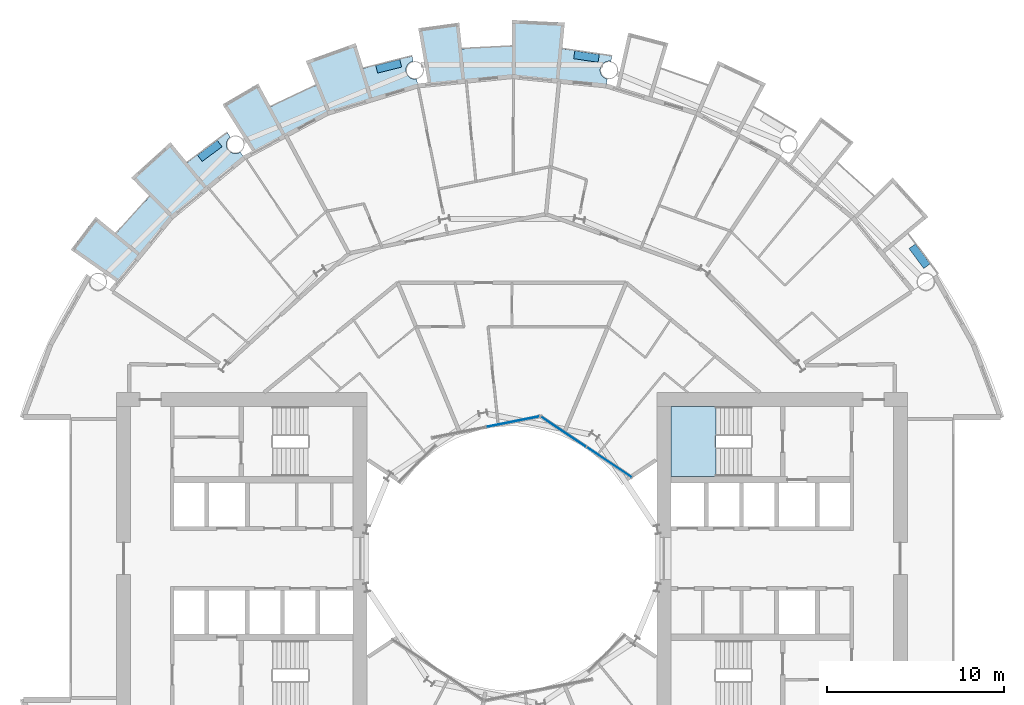
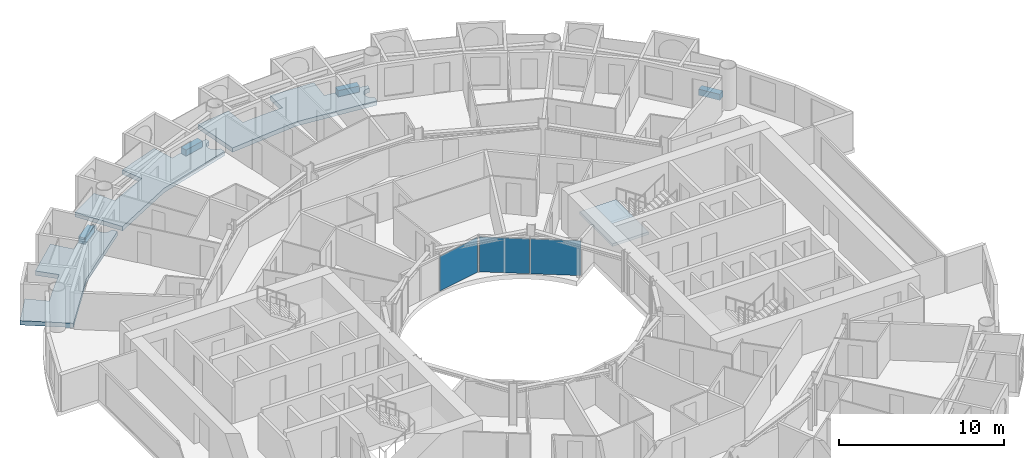
# One storey, part 11 of 26: 8 slabs, 3 plates, 3 elements without a shape of their own.
"""IFC4 building model written with IfcOpenShell, lengths in metres."""

from ifc_helpers import new_model, si_unit, direction, frame, origin, origin_2d, place, context, subcontext, project, spatial, polyline, rectangle, outline, extrude, material, layer, layer_set, type_object, element, aggregate, save


model = new_model("IFC4")

# Units and contexts
model_context = context("Model", 3, precision=1e-05, world=origin(), true_north=direction((0.0, 1.0)))
body_context = subcontext(model_context, "Body", "Model", "MODEL_VIEW")
ifc_project = project(units=[si_unit("LENGTHUNIT", "METRE"), si_unit("AREAUNIT", "SQUARE_METRE"), si_unit("VOLUMEUNIT", "CUBIC_METRE"), si_unit("PLANEANGLEUNIT", "RADIAN"), si_unit("MASSUNIT", "GRAM", prefix="KILO")], contexts=[model_context])

# Site, building, storey
site_placement = place(None, origin())
site = spatial("IfcSite", under=ifc_project, at=site_placement, CompositionType="ELEMENT")
building_placement = place(site_placement, origin())
building = spatial("IfcBuilding", under=site, at=building_placement, Name="Maasbend Ring Residences", CompositionType="ELEMENT")
storey_placement = place(building_placement, frame((0.0, 0.0, 38.050048828125)))
storey = spatial("IfcBuildingStorey", under=building, at=storey_placement, Name="L10", CompositionType="ELEMENT", Elevation=38.050048828125)

# Stair, slab
ifc_material_1 = material(Name="Concrete C40/50", Category="concrete")
stair_type = type_object("IfcStairType", Name="CORE STAIR 18 RISERS", PredefinedType="HALF_TURN_STAIR", material=ifc_material_1)
stair_placement = place(storey_placement, origin())
stair = element("IfcStair", 1, at=stair_placement, inside=storey, type_object=stair_type, Name="L10 Exit stair ST-E1", PredefinedType="HALF_TURN_STAIR")
ifc_material_2 = material(Name="Concrete C40/50", Category="concrete")
ifc_layer_1 = layer(ifc_material_2, 0.199951171875)
ifc_layer_set_1 = layer_set([ifc_layer_1], Name="Concrete C40/50")
slab_type_1 = type_object("IfcSlabType", Name="CORE STAIR LANDING 200", PredefinedType="LANDING", material=ifc_layer_set_1)
slab_1_placement = place(storey_placement, frame((0.0, 0.0, 1.324951171875)))
slab_1 = element("IfcSlab", 2, at=slab_1_placement, type_object=slab_type_1, Name="ST-E1 landing 1", PredefinedType="LANDING", context=body_context, shape_type="SweptSolid", body=[
    extrude(outline(polyline([(11.550048828125, 8.60009765625), (9.0, 8.60009765625), (9.0, 4.64990234375), (11.550048828125, 4.64990234375), (11.550048828125, 8.60009765625)])), origin(), (0.0, 0.0, 1.0), 0.199951171875),
])
aggregate(stair, [slab_1])

# Curtain wall, plates
ifc_material_3 = material(Name="Aluminium and clear glass", Category="aluminium")
ifc_layer_2 = layer(ifc_material_3, 0.179931640625)
ifc_layer_set_2 = layer_set([ifc_layer_2], Name="CW-W")
curtain_wall_type = type_object("IfcCurtainWallType", Name="CW-W", PredefinedType="NOTDEFINED", material=ifc_layer_set_2)
curtain_wall_1_placement = place(storey_placement, origin())
curtain_wall_1 = element("IfcCurtainWall", 3, at=curtain_wall_1_placement, inside=storey, type_object=curtain_wall_type, Name="Well curtain wall N1", PredefinedType="NOTDEFINED")
ifc_material_4 = material(Name="Glass clear laminated", Category="glass")
ifc_layer_3 = layer(ifc_material_4, 0.031982421875)
ifc_layer_set_3 = layer_set([ifc_layer_3], Name="CWP-W")
plate_type = type_object("IfcPlateType", Name="CWP-W", PredefinedType="CURTAIN_PANEL", material=ifc_layer_set_3)
plate_1_placement = place(storey_placement, frame((5.51123046875, 5.44580078125, 0.0), z_axis=(0.0, 0.0, 1.0), x_axis=(-0.831469612303, 0.55557023302, 0.0)))
plate_1 = element("IfcPlate", 4, at=plate_1_placement, type_object=plate_type, Name="Glass panel well face", PredefinedType="CURTAIN_PANEL", context=body_context, shape_type="SweptSolid", body=[
    extrude(rectangle(XDim=3.053955078125, YDim=0.031982421875, at=origin_2d()), origin(), (0.0, 0.0, 1.0), 2.580078125),
])
plate_2_placement = place(storey_placement, frame((2.922119140625, 7.17578125, 0.0), z_axis=(0.0, 0.0, 1.0), x_axis=(-0.831469612303, 0.55557023302, 0.0)))
plate_2 = element("IfcPlate", 5, at=plate_2_placement, type_object=plate_type, Name="Glass panel well face", PredefinedType="CURTAIN_PANEL", context=body_context, shape_type="SweptSolid", body=[
    extrude(rectangle(XDim=3.053955078125, YDim=0.031982421875, at=origin_2d()), origin(), (0.0, 0.0, 1.0), 2.580078125),
])
aggregate(curtain_wall_1, [plate_1, plate_2])

# Curtain wall, plate
curtain_wall_2_placement = place(storey_placement, origin())
curtain_wall_2 = element("IfcCurtainWall", 6, at=curtain_wall_2_placement, inside=storey, type_object=curtain_wall_type, Name="Well curtain wall N2", PredefinedType="NOTDEFINED")
plate_3_placement = place(storey_placement, frame((0.04638671875, 7.747802734375, 0.0), z_axis=(0.0, 0.0, 1.0), x_axis=(-0.980785280403, -0.195090322016, 0.0)))
plate_3 = element("IfcPlate", 7, at=plate_3_placement, type_object=plate_type, Name="Glass panel well face", PredefinedType="CURTAIN_PANEL", context=body_context, shape_type="SweptSolid", body=[
    extrude(rectangle(XDim=3.053955078125, YDim=0.031982421875, at=origin_2d()), origin(), (0.0, 0.0, 1.0), 2.580078125),
])
aggregate(curtain_wall_2, [plate_3])

# Slabs
ifc_material_5 = material(Name="Planting with climbing greenery")
ifc_layer_4 = layer(ifc_material_5, 0.449951171875)
ifc_layer_set_4 = layer_set([ifc_layer_4], Name="PLANTER-LG")
slab_type_2 = type_object("IfcSlabType", Name="PLANTER-LG", PredefinedType="USERDEFINED", material=ifc_layer_set_4)
slab_2_placement = place(storey_placement, frame((0.0, 0.0, -0.030029296875)))
element("IfcSlab", 8, at=slab_2_placement, inside=storey, type_object=slab_type_2, Name="Planter with climbing greenery 1", ObjectType="PLANTER", PredefinedType="USERDEFINED", context=body_context, shape_type="SweptSolid", body=[
    extrude(outline(polyline([(23.681884765625, 16.69189453125), (22.847900390625, 17.81689453125), (22.487060546875, 17.549072265625), (23.321044921875, 16.424072265625), (23.681884765625, 16.69189453125)])), origin(), (0.0, 0.0, 1.0), 0.449951171875),
])
slab_3_placement = place(storey_placement, frame((0.0, 0.0, -0.030029296875)))
element("IfcSlab", 9, at=slab_3_placement, inside=storey, type_object=slab_type_2, Name="Planter with climbing greenery 3", ObjectType="PLANTER", PredefinedType="USERDEFINED", context=body_context, shape_type="SweptSolid", body=[
    extrude(outline(polyline([(4.94189453125, 28.549072265625), (3.55810546875, 28.75390625), (3.491943359375, 28.30908203125), (4.8759765625, 28.10400390625), (4.94189453125, 28.549072265625)])), origin(), (0.0, 0.0, 1.0), 0.449951171875),
])
slab_4_placement = place(storey_placement, frame((0.0, 0.0, -0.030029296875)))
element("IfcSlab", 10, at=slab_4_placement, inside=storey, type_object=slab_type_2, Name="Planter with climbing greenery 4", ObjectType="PLANTER", PredefinedType="USERDEFINED", context=body_context, shape_type="SweptSolid", body=[
    extrude(outline(polyline([(-6.35888671875, 28.26708984375), (-7.717041015625, 27.927001953125), (-7.60791015625, 27.489990234375), (-6.25, 27.8310546875), (-6.35888671875, 28.26708984375)])), origin(), (0.0, 0.0, 1.0), 0.449951171875),
])
slab_5_placement = place(storey_placement, frame((0.0, 0.0, -0.030029296875)))
element("IfcSlab", 11, at=slab_5_placement, inside=storey, type_object=slab_type_2, Name="Planter with climbing greenery 5", ObjectType="PLANTER", PredefinedType="USERDEFINED", context=body_context, shape_type="SweptSolid", body=[
    extrude(outline(polyline([(-16.69189453125, 23.681884765625), (-17.81689453125, 22.847900390625), (-17.549072265625, 22.487060546875), (-16.424072265625, 23.321044921875), (-16.69189453125, 23.681884765625)])), origin(), (0.0, 0.0, 1.0), 0.449951171875),
])
ifc_material_6 = material(Name="Concrete C40/50", Category="concrete")
ifc_layer_5 = layer(ifc_material_6, 0.199951171875)
ifc_layer_set_5 = layer_set([ifc_layer_5], Name="Concrete C40/50")
slab_type_3 = type_object("IfcSlabType", Name="SL-LOGGIA", PredefinedType="FLOOR", material=ifc_layer_set_5)
slab_6_placement = place(storey_placement, frame((0.0, 0.0, -0.35009765625)))
element("IfcSlab", 12, at=slab_6_placement, inside=storey, type_object=slab_type_3, Name="Loggia floor 2", PredefinedType="FLOOR", context=body_context, shape_type="SweptSolid", body=[
    extrude(outline(polyline([(-13.6708984375, 25.575927734375), (-13.6708984375, 25.575927734375), (-13.6708984375, 25.575927734375), (-13.6708984375, 25.575927734375), (-13.6708984375, 25.575927734375), (-13.6708984375, 25.575927734375), (-13.6708984375, 25.575927734375), (-13.669921875, 25.575927734375), (-13.669921875, 25.575927734375), (-13.669921875, 25.575927734375), (-13.669921875, 25.575927734375), (-13.669921875, 25.575927734375), (-13.669921875, 25.575927734375), (-13.669921875, 25.575927734375), (-13.669921875, 25.575927734375), (-13.669921875, 25.575927734375), (-13.669921875, 25.575927734375), (-12.825927734375, 26.009033203125), (-12.825927734375, 26.009033203125), (-11.968994140625, 26.4150390625), (-11.968994140625, 26.4150390625), (-11.097900390625, 26.7919921875), (-11.097900390625, 26.7919921875), (-11.097900390625, 26.7919921875), (-11.097900390625, 26.7919921875), (-11.097900390625, 26.7919921875), (-11.097900390625, 26.7919921875), (-11.097900390625, 26.7919921875), (-11.097900390625, 26.79296875), (-11.097900390625, 26.79296875), (-11.097900390625, 26.79296875), (-11.097900390625, 26.79296875), (-11.097900390625, 26.79296875), (-11.097900390625, 26.79296875), (-11.097900390625, 26.79296875), (-11.097900390625, 26.79296875), (-11.097900390625, 26.79296875), (-11.097900390625, 26.79296875), (-11.672119140625, 28.177978515625), (-11.672119140625, 28.177978515625), (-11.672119140625, 28.177978515625), (-8.85400390625, 29.18701171875), (-8.85400390625, 29.18701171875), (-8.85400390625, 29.18701171875), (-8.41796875, 27.751953125), (-8.41796875, 27.751953125), (-8.41796875, 27.751953125), (-8.41796875, 27.751953125), (-8.41796875, 27.751953125), (-8.41796875, 27.751953125), (-8.41796875, 27.751953125), (-8.41796875, 27.7509765625), (-8.41796875, 27.7509765625), (-8.41796875, 27.7509765625), (-8.41796875, 27.7509765625), (-8.41796875, 27.7509765625), (-8.41796875, 27.7509765625), (-8.41796875, 27.7509765625), (-8.41796875, 27.7509765625), (-8.41796875, 27.7509765625), (-8.41796875, 27.7509765625), (-7.506103515625, 28.011962890625), (-7.506103515625, 28.011962890625), (-6.5849609375, 28.241943359375), (-6.5849609375, 28.241943359375), (-5.657958984375, 28.443115234375), (-5.657958984375, 28.443115234375), (-5.657958984375, 28.443115234375), (-5.60107421875, 28.156005859375), (-5.613037109375, 28.154052734375), (-5.625, 28.15087890625), (-5.636962890625, 28.14794921875), (-5.64892578125, 28.14404296875), (-5.660888671875, 28.139892578125), (-5.673095703125, 28.135986328125), (-5.68408203125, 28.132080078125), (-5.696044921875, 28.126953125), (-5.70703125, 28.123046875), (-5.718994140625, 28.116943359375), (-5.72998046875, 28.112060546875), (-5.740966796875, 28.10595703125), (-5.751953125, 28.10009765625), (-5.762939453125, 28.093994140625), (-5.77294921875, 28.0869140625), (-5.783935546875, 28.080078125), (-5.7939453125, 28.072998046875), (-5.803955078125, 28.06591796875), (-5.81396484375, 28.05908203125), (-5.823974609375, 28.051025390625), (-5.8330078125, 28.04296875), (-5.843017578125, 28.034912109375), (-5.85205078125, 28.02587890625), (-5.861083984375, 28.01708984375), (-5.868896484375, 28.008056640625), (-5.8779296875, 27.9990234375), (-5.885986328125, 27.989990234375), (-5.89404296875, 27.97998046875), (-5.902099609375, 27.970947265625), (-5.909912109375, 27.9609375), (-5.9169921875, 27.950927734375), (-5.924072265625, 27.93994140625), (-5.930908203125, 27.929931640625), (-5.93701171875, 27.9189453125), (-5.944091796875, 27.907958984375), (-5.949951171875, 27.89794921875), (-5.955078125, 27.886962890625), (-5.9609375, 27.875), (-5.966064453125, 27.864013671875), (-5.970947265625, 27.85302734375), (-5.97509765625, 27.841064453125), (-5.97998046875, 27.8291015625), (-5.98388671875, 27.81689453125), (-5.988037109375, 27.805908203125), (-5.990966796875, 27.7939453125), (-5.993896484375, 27.781982421875), (-5.9970703125, 27.76904296875), (-6.0, 27.757080078125), (-6.001953125, 27.7451171875), (-6.00390625, 27.73291015625), (-6.006103515625, 27.719970703125), (-6.007080078125, 27.7080078125), (-6.008056640625, 27.695068359375), (-6.009033203125, 27.68310546875), (-6.009033203125, 27.6708984375), (-6.010009765625, 27.657958984375), (-6.009033203125, 27.64599609375), (-6.009033203125, 27.633056640625), (-6.008056640625, 27.62109375), (-6.007080078125, 27.60791015625), (-6.006103515625, 27.595947265625), (-6.00390625, 27.583984375), (-6.001953125, 27.571044921875), (-6.0, 27.55908203125), (-5.9970703125, 27.547119140625), (-5.993896484375, 27.534912109375), (-5.990966796875, 27.52294921875), (-5.988037109375, 27.510986328125), (-5.98388671875, 27.4990234375), (-5.97998046875, 27.487060546875), (-5.97509765625, 27.47509765625), (-5.970947265625, 27.464111328125), (-5.966064453125, 27.451904296875), (-5.9609375, 27.44091796875), (-5.955078125, 27.429931640625), (-5.949951171875, 27.4189453125), (-5.944091796875, 27.407958984375), (-5.93701171875, 27.39697265625), (-5.930908203125, 27.385986328125), (-5.924072265625, 27.3759765625), (-5.9169921875, 27.365966796875), (-5.909912109375, 27.35498046875), (-5.902099609375, 27.345947265625), (-5.89404296875, 27.3359375), (-5.885986328125, 27.325927734375), (-5.8779296875, 27.31689453125), (-5.868896484375, 27.30810546875), (-5.861083984375, 27.299072265625), (-5.85205078125, 27.2900390625), (-5.843017578125, 27.281982421875), (-5.8330078125, 27.27294921875), (-5.823974609375, 27.264892578125), (-5.81396484375, 27.258056640625), (-5.803955078125, 27.25), (-5.7939453125, 27.242919921875), (-5.783935546875, 27.236083984375), (-5.77294921875, 27.22900390625), (-5.762939453125, 27.221923828125), (-5.751953125, 27.216064453125), (-5.740966796875, 27.2099609375), (-5.72998046875, 27.2041015625), (-5.718994140625, 27.198974609375), (-5.70703125, 27.194091796875), (-5.696044921875, 27.18896484375), (-5.68408203125, 27.18408203125), (-5.673095703125, 27.179931640625), (-5.660888671875, 27.176025390625), (-5.64892578125, 27.172119140625), (-5.636962890625, 27.1689453125), (-5.625, 27.1650390625), (-5.613037109375, 27.162109375), (-5.60107421875, 27.159912109375), (-5.587890625, 27.157958984375), (-5.575927734375, 27.156005859375), (-5.56396484375, 27.154052734375), (-5.551025390625, 27.153076171875), (-5.5390625, 27.15087890625), (-5.52587890625, 27.15087890625), (-5.513916015625, 27.14990234375), (-5.501953125, 27.14990234375), (-5.489013671875, 27.14990234375), (-5.47705078125, 27.15087890625), (-5.464111328125, 27.15087890625), (-5.451904296875, 27.153076171875), (-5.43896484375, 27.154052734375), (-5.427001953125, 27.156005859375), (-5.4150390625, 27.157958984375), (-5.402099609375, 27.159912109375), (-5.325927734375, 26.77490234375), (-5.325927734375, 26.77490234375), (-5.325927734375, 26.77490234375), (-7.886962890625, 25.9990234375), (-10.447021484375, 25.221923828125), (-10.447021484375, 25.221923828125), (-10.447021484375, 25.221923828125), (-12.806884765625, 23.9609375), (-14.64599609375, 22.97705078125), (-14.64599609375, 22.97705078125), (-14.64599609375, 22.97705078125), (-16.39404296875, 25.718994140625), (-16.39404296875, 25.718994140625), (-16.39404296875, 25.718994140625), (-14.3779296875, 26.89892578125), (-14.3779296875, 26.89892578125), (-14.3779296875, 26.89892578125), (-13.6708984375, 25.575927734375)])), origin(), (0.0, 0.0, 1.0), 0.320068359375),
])
slab_7_placement = place(storey_placement, frame((0.0, 0.0, -0.35009765625)))
element("IfcSlab", 13, at=slab_7_placement, inside=storey, type_object=slab_type_3, Name="Loggia floor 3", PredefinedType="FLOOR", context=body_context, shape_type="SweptSolid", body=[
    extrude(outline(polyline([(-2.843017578125, 28.861083984375), (-2.843017578125, 28.861083984375), (-2.843017578125, 28.861083984375), (-2.843017578125, 28.861083984375), (-2.842041015625, 28.861083984375), (-2.842041015625, 28.861083984375), (-2.842041015625, 28.861083984375), (-2.842041015625, 28.861083984375), (-2.842041015625, 28.861083984375), (-2.842041015625, 28.860107421875), (-2.842041015625, 28.860107421875), (-2.842041015625, 28.860107421875), (-2.842041015625, 28.860107421875), (-2.842041015625, 28.860107421875), (-2.842041015625, 28.860107421875), (-2.842041015625, 28.860107421875), (-2.842041015625, 28.860107421875), (-1.89697265625, 28.93798828125), (-1.89697265625, 28.93798828125), (-0.948974609375, 28.98388671875), (-0.948974609375, 28.98388671875), (0.0, 29.0), (0.0, 29.0), (0.0, 29.0), (0.0, 29.0), (0.0, 29.0), (0.0, 29.0), (0.0, 29.0), (0.0, 29.0), (0.0, 29.0), (0.0, 29.0), (0.0, 29.0), (0.0, 29.0), (0.0, 29.0), (0.0, 29.0), (0.0, 29.0), (0.0, 29.0), (0.0, 29.0), (0.0, 30.5), (0.0, 30.5), (0.0, 30.5), (2.989990234375, 30.35302734375), (2.989990234375, 30.35302734375), (2.989990234375, 30.35302734375), (2.843017578125, 28.861083984375), (2.843017578125, 28.861083984375), (2.843017578125, 28.861083984375), (2.843017578125, 28.861083984375), (2.843017578125, 28.861083984375), (2.843017578125, 28.861083984375), (2.843017578125, 28.861083984375), (2.843017578125, 28.861083984375), (2.843017578125, 28.860107421875), (2.843017578125, 28.860107421875), (2.843017578125, 28.860107421875), (2.843017578125, 28.860107421875), (2.843017578125, 28.860107421875), (2.843017578125, 28.860107421875), (2.843017578125, 28.860107421875), (2.843017578125, 28.860107421875), (2.843017578125, 28.860107421875), (3.784912109375, 28.751953125), (3.784912109375, 28.751953125), (4.72412109375, 28.613037109375), (4.72412109375, 28.613037109375), (5.657958984375, 28.443115234375), (5.657958984375, 28.443115234375), (5.657958984375, 28.443115234375), (5.60107421875, 28.156005859375), (5.60107421875, 28.156005859375), (5.587890625, 28.158935546875), (5.575927734375, 28.160888671875), (5.56396484375, 28.162109375), (5.551025390625, 28.1640625), (5.5390625, 28.1650390625), (5.52587890625, 28.1650390625), (5.513916015625, 28.166015625), (5.501953125, 28.166015625), (5.489013671875, 28.166015625), (5.47705078125, 28.1650390625), (5.464111328125, 28.1650390625), (5.451904296875, 28.1640625), (5.43896484375, 28.162109375), (5.427001953125, 28.160888671875), (5.4150390625, 28.158935546875), (5.402099609375, 28.156005859375), (5.389892578125, 28.154052734375), (5.3779296875, 28.15087890625), (5.365966796875, 28.14794921875), (5.35400390625, 28.14404296875), (5.342041015625, 28.139892578125), (5.330078125, 28.135986328125), (5.319091796875, 28.132080078125), (5.306884765625, 28.126953125), (5.2958984375, 28.123046875), (5.283935546875, 28.116943359375), (5.27294921875, 28.112060546875), (5.261962890625, 28.10595703125), (5.2509765625, 28.10009765625), (5.239990234375, 28.093994140625), (5.22998046875, 28.0869140625), (5.218994140625, 28.080078125), (5.208984375, 28.072998046875), (5.198974609375, 28.06591796875), (5.18896484375, 28.05908203125), (5.178955078125, 28.051025390625), (5.169921875, 28.04296875), (5.159912109375, 28.034912109375), (5.15087890625, 28.02587890625), (5.14208984375, 28.01708984375), (5.134033203125, 28.008056640625), (5.125, 27.9990234375), (5.116943359375, 27.989990234375), (5.10888671875, 27.97998046875), (5.10107421875, 27.970947265625), (5.093017578125, 27.9609375), (5.0859375, 27.950927734375), (5.0791015625, 27.93994140625), (5.072021484375, 27.929931640625), (5.06591796875, 27.9189453125), (5.05908203125, 27.907958984375), (5.052978515625, 27.89794921875), (5.048095703125, 27.886962890625), (5.0419921875, 27.875), (5.037109375, 27.864013671875), (5.031982421875, 27.85302734375), (5.028076171875, 27.841064453125), (5.02294921875, 27.8291015625), (5.01904296875, 27.81689453125), (5.014892578125, 27.805908203125), (5.011962890625, 27.7939453125), (5.009033203125, 27.781982421875), (5.006103515625, 27.76904296875), (5.0029296875, 27.757080078125), (5.0009765625, 27.7451171875), (4.9990234375, 27.73291015625), (4.9970703125, 27.719970703125), (4.99609375, 27.7080078125), (4.9951171875, 27.695068359375), (4.993896484375, 27.68310546875), (4.993896484375, 27.6708984375), (4.993896484375, 27.657958984375), (4.993896484375, 27.64599609375), (4.993896484375, 27.633056640625), (4.9951171875, 27.62109375), (4.99609375, 27.60791015625), (4.9970703125, 27.595947265625), (4.9990234375, 27.583984375), (5.0009765625, 27.571044921875), (5.0029296875, 27.55908203125), (5.006103515625, 27.547119140625), (5.009033203125, 27.534912109375), (5.011962890625, 27.52294921875), (5.014892578125, 27.510986328125), (5.01904296875, 27.4990234375), (5.02294921875, 27.487060546875), (5.028076171875, 27.47509765625), (5.031982421875, 27.464111328125), (5.037109375, 27.451904296875), (5.0419921875, 27.44091796875), (5.048095703125, 27.429931640625), (5.052978515625, 27.4189453125), (5.05908203125, 27.407958984375), (5.06591796875, 27.39697265625), (5.072021484375, 27.385986328125), (5.0791015625, 27.3759765625), (5.0859375, 27.365966796875), (5.093017578125, 27.35498046875), (5.10107421875, 27.345947265625), (5.10888671875, 27.3359375), (5.116943359375, 27.325927734375), (5.125, 27.31689453125), (5.134033203125, 27.30810546875), (5.14208984375, 27.299072265625), (5.15087890625, 27.2900390625), (5.159912109375, 27.281982421875), (5.169921875, 27.27294921875), (5.178955078125, 27.264892578125), (5.18896484375, 27.258056640625), (5.198974609375, 27.25), (5.208984375, 27.242919921875), (5.218994140625, 27.236083984375), (5.22998046875, 27.22900390625), (5.239990234375, 27.221923828125), (5.2509765625, 27.216064453125), (5.261962890625, 27.2099609375), (5.27294921875, 27.2041015625), (5.283935546875, 27.198974609375), (5.2958984375, 27.194091796875), (5.306884765625, 27.18896484375), (5.319091796875, 27.18408203125), (5.330078125, 27.179931640625), (5.342041015625, 27.176025390625), (5.35400390625, 27.172119140625), (5.365966796875, 27.1689453125), (5.3779296875, 27.1650390625), (5.389892578125, 27.162109375), (5.402099609375, 27.159912109375), (5.402099609375, 27.159912109375), (5.325927734375, 26.77490234375), (5.325927734375, 26.77490234375), (5.325927734375, 26.77490234375), (2.6630859375, 27.0380859375), (0.0, 27.300048828125), (0.0, 27.300048828125), (0.0, 27.300048828125), (-2.6630859375, 27.0380859375), (-4.739013671875, 26.8330078125), (-4.739013671875, 26.8330078125), (-4.739013671875, 26.8330078125), (-5.303955078125, 30.034912109375), (-5.303955078125, 30.034912109375), (-5.303955078125, 30.034912109375), (-2.989990234375, 30.35302734375), (-2.989990234375, 30.35302734375), (-2.989990234375, 30.35302734375), (-2.843017578125, 28.861083984375)])), origin(), (0.0, 0.0, 1.0), 0.320068359375),
])
slab_8_placement = place(storey_placement, frame((0.0, 0.0, -0.35009765625)))
element("IfcSlab", 14, at=slab_8_placement, inside=storey, type_object=slab_type_3, Name="Loggia floor 5", PredefinedType="FLOOR", context=body_context, shape_type="SweptSolid", body=[
    extrude(outline(polyline([(-22.41796875, 18.39794921875), (-22.41796875, 18.39794921875), (-22.41796875, 18.39794921875), (-22.41796875, 18.39794921875), (-22.41796875, 18.39794921875), (-22.4169921875, 18.39794921875), (-22.4169921875, 18.39794921875), (-22.4169921875, 18.39794921875), (-22.4169921875, 18.39794921875), (-22.4169921875, 18.39794921875), (-22.4169921875, 18.39794921875), (-22.4169921875, 18.39794921875), (-22.4169921875, 18.39794921875), (-22.4169921875, 18.39794921875), (-22.4169921875, 18.39794921875), (-22.4169921875, 18.39794921875), (-22.4169921875, 18.39794921875), (-21.802978515625, 19.12109375), (-21.802978515625, 19.12109375), (-21.166015625, 19.823974609375), (-21.166015625, 19.823974609375), (-20.506103515625, 20.506103515625), (-20.506103515625, 20.506103515625), (-20.506103515625, 20.506103515625), (-20.506103515625, 20.506103515625), (-20.506103515625, 20.506103515625), (-20.506103515625, 20.506103515625), (-20.506103515625, 20.506103515625), (-20.506103515625, 20.506103515625), (-20.506103515625, 20.506103515625), (-20.506103515625, 20.506103515625), (-20.506103515625, 20.506103515625), (-20.506103515625, 20.506103515625), (-20.506103515625, 20.506103515625), (-20.506103515625, 20.506103515625), (-20.506103515625, 20.506103515625), (-20.506103515625, 20.506103515625), (-20.506103515625, 20.506103515625), (-21.56689453125, 21.56689453125), (-21.56689453125, 21.56689453125), (-21.56689453125, 21.56689453125), (-19.34912109375, 23.576904296875), (-19.34912109375, 23.576904296875), (-19.34912109375, 23.576904296875), (-18.39794921875, 22.41796875), (-18.39794921875, 22.41796875), (-18.39794921875, 22.41796875), (-18.39794921875, 22.41796875), (-18.39794921875, 22.41796875), (-18.39794921875, 22.41796875), (-18.39697265625, 22.41796875), (-18.39697265625, 22.41796875), (-18.39697265625, 22.41796875), (-18.39697265625, 22.41796875), (-18.39697265625, 22.41796875), (-18.39697265625, 22.41796875), (-18.39697265625, 22.41796875), (-18.39697265625, 22.41796875), (-18.39697265625, 22.41796875), (-18.39697265625, 22.41796875), (-18.39697265625, 22.41796875), (-17.654052734375, 23.007080078125), (-17.654052734375, 23.007080078125), (-16.89208984375, 23.572998046875), (-16.89208984375, 23.572998046875), (-16.112060546875, 24.113037109375), (-16.112060546875, 24.113037109375), (-16.112060546875, 24.113037109375), (-15.948974609375, 23.8701171875), (-15.948974609375, 23.8701171875), (-15.9599609375, 23.863037109375), (-15.969970703125, 23.85498046875), (-15.97998046875, 23.847900390625), (-15.989013671875, 23.840087890625), (-15.9990234375, 23.83203125), (-16.008056640625, 23.823974609375), (-16.01708984375, 23.81494140625), (-16.02587890625, 23.806884765625), (-16.034912109375, 23.798095703125), (-16.0439453125, 23.7890625), (-16.052001953125, 23.779052734375), (-16.06005859375, 23.77001953125), (-16.068115234375, 23.760009765625), (-16.074951171875, 23.75), (-16.08203125, 23.739990234375), (-16.089111328125, 23.72998046875), (-16.095947265625, 23.718994140625), (-16.10302734375, 23.708984375), (-16.10888671875, 23.697998046875), (-16.114990234375, 23.68701171875), (-16.12109375, 23.676025390625), (-16.1259765625, 23.6650390625), (-16.132080078125, 23.653076171875), (-16.135986328125, 23.64208984375), (-16.14111328125, 23.6298828125), (-16.14501953125, 23.618896484375), (-16.14892578125, 23.60693359375), (-16.153076171875, 23.594970703125), (-16.156982421875, 23.5830078125), (-16.159912109375, 23.571044921875), (-16.1630859375, 23.55908203125), (-16.1650390625, 23.547119140625), (-16.16796875, 23.533935546875), (-16.169921875, 23.52197265625), (-16.1708984375, 23.510009765625), (-16.173095703125, 23.4970703125), (-16.174072265625, 23.485107421875), (-16.174072265625, 23.471923828125), (-16.175048828125, 23.4599609375), (-16.175048828125, 23.447021484375), (-16.175048828125, 23.43505859375), (-16.174072265625, 23.422119140625), (-16.174072265625, 23.409912109375), (-16.173095703125, 23.39794921875), (-16.1708984375, 23.385009765625), (-16.169921875, 23.373046875), (-16.16796875, 23.361083984375), (-16.1650390625, 23.347900390625), (-16.1630859375, 23.3359375), (-16.159912109375, 23.323974609375), (-16.156982421875, 23.31201171875), (-16.153076171875, 23.300048828125), (-16.14892578125, 23.2880859375), (-16.14501953125, 23.27587890625), (-16.14111328125, 23.264892578125), (-16.135986328125, 23.2529296875), (-16.132080078125, 23.241943359375), (-16.1259765625, 23.22998046875), (-16.12109375, 23.218994140625), (-16.114990234375, 23.2080078125), (-16.10888671875, 23.197021484375), (-16.10302734375, 23.18603515625), (-16.095947265625, 23.176025390625), (-16.089111328125, 23.1650390625), (-16.08203125, 23.155029296875), (-16.074951171875, 23.14501953125), (-16.068115234375, 23.135009765625), (-16.06005859375, 23.125), (-16.052001953125, 23.115966796875), (-16.0439453125, 23.10595703125), (-16.034912109375, 23.096923828125), (-16.02587890625, 23.087890625), (-16.01708984375, 23.0791015625), (-16.008056640625, 23.071044921875), (-15.9990234375, 23.06298828125), (-15.989013671875, 23.054931640625), (-15.97998046875, 23.047119140625), (-15.969970703125, 23.0390625), (-15.9599609375, 23.031982421875), (-15.948974609375, 23.02490234375), (-15.93896484375, 23.01806640625), (-15.927978515625, 23.011962890625), (-15.9169921875, 23.0048828125), (-15.906982421875, 22.9990234375), (-15.89599609375, 22.993896484375), (-15.884033203125, 22.988037109375), (-15.873046875, 22.98291015625), (-15.862060546875, 22.97802734375), (-15.85009765625, 22.972900390625), (-15.837890625, 22.968994140625), (-15.825927734375, 22.965087890625), (-15.81494140625, 22.9609375), (-15.802978515625, 22.9580078125), (-15.791015625, 22.955078125), (-15.778076171875, 22.951904296875), (-15.76611328125, 22.948974609375), (-15.75390625, 22.947021484375), (-15.741943359375, 22.945068359375), (-15.72900390625, 22.943115234375), (-15.717041015625, 22.94189453125), (-15.7041015625, 22.94091796875), (-15.69189453125, 22.93994140625), (-15.679931640625, 22.93994140625), (-15.6669921875, 22.93896484375), (-15.655029296875, 22.93994140625), (-15.64208984375, 22.93994140625), (-15.6298828125, 22.94091796875), (-15.616943359375, 22.94189453125), (-15.60498046875, 22.943115234375), (-15.593017578125, 22.945068359375), (-15.580078125, 22.947021484375), (-15.568115234375, 22.948974609375), (-15.555908203125, 22.951904296875), (-15.5439453125, 22.955078125), (-15.531982421875, 22.9580078125), (-15.52001953125, 22.9609375), (-15.508056640625, 22.965087890625), (-15.49609375, 22.968994140625), (-15.48388671875, 22.972900390625), (-15.472900390625, 22.97802734375), (-15.4609375, 22.98291015625), (-15.449951171875, 22.988037109375), (-15.43896484375, 22.993896484375), (-15.427978515625, 22.9990234375), (-15.4169921875, 23.0048828125), (-15.406005859375, 23.011962890625), (-15.39501953125, 23.01806640625), (-15.385009765625, 23.02490234375), (-15.385009765625, 23.02490234375), (-15.1669921875, 22.698974609375), (-15.1669921875, 22.698974609375), (-15.1669921875, 22.698974609375), (-17.236083984375, 21.001953125), (-19.303955078125, 19.303955078125), (-19.303955078125, 19.303955078125), (-19.303955078125, 19.303955078125), (-21.001953125, 17.236083984375), (-22.324951171875, 15.623046875), (-22.324951171875, 15.623046875), (-22.324951171875, 15.623046875), (-24.989013671875, 17.488037109375), (-24.989013671875, 17.488037109375), (-24.989013671875, 17.488037109375), (-23.576904296875, 19.34912109375), (-23.576904296875, 19.34912109375), (-23.576904296875, 19.34912109375), (-22.41796875, 18.39794921875)])), origin(), (0.0, 0.0, 1.0), 0.320068359375),
])

save(model, "model.ifc")
